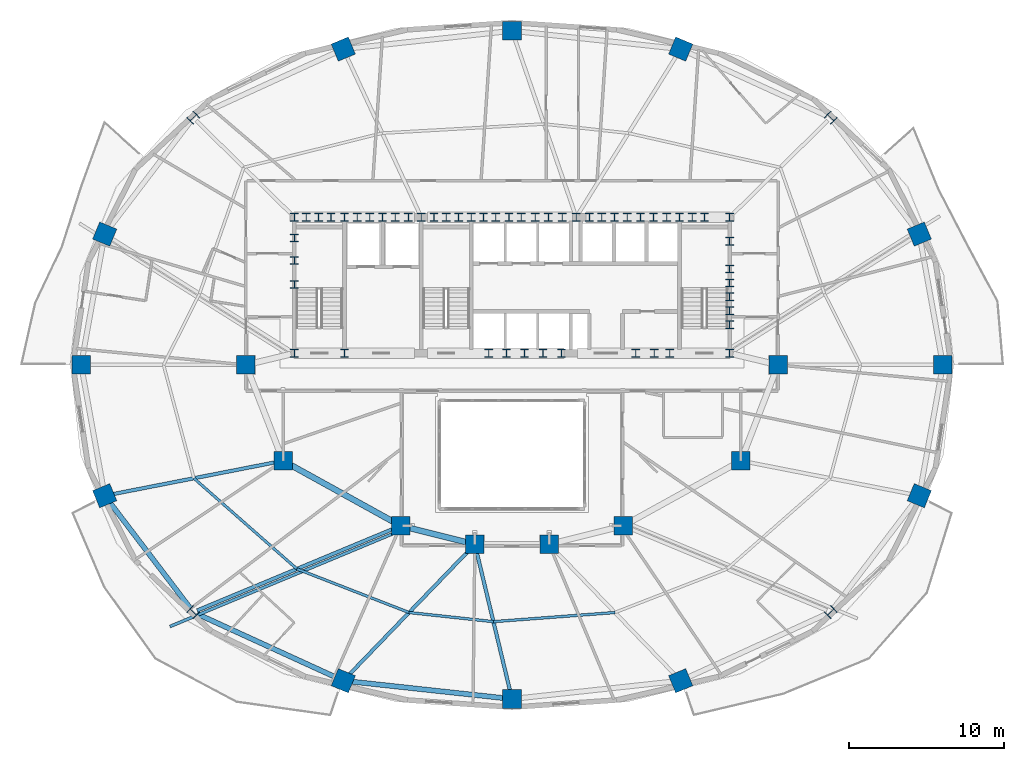
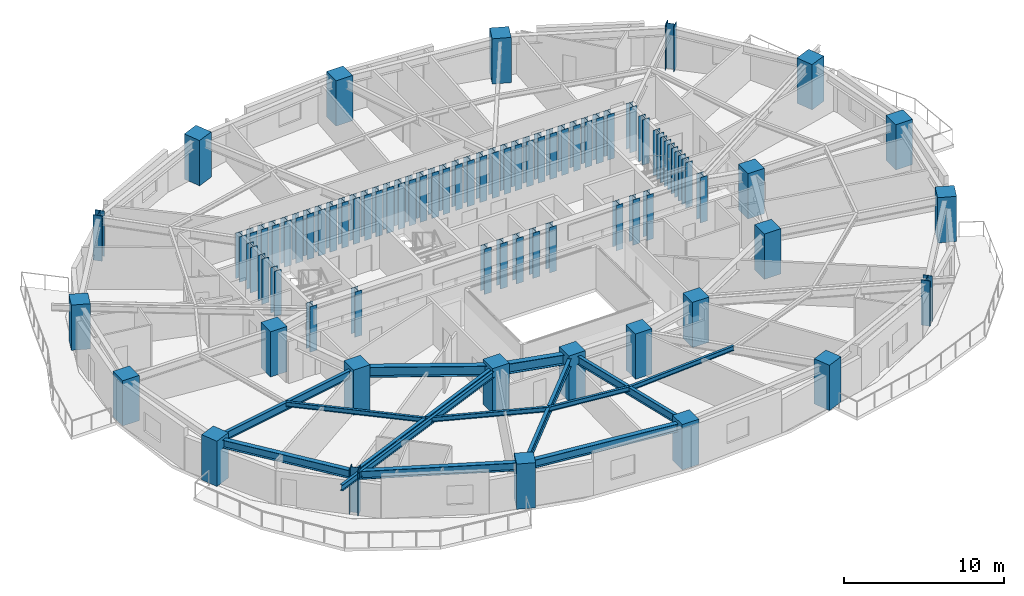
# One storey, part 1 of 14: 78 columns, 14 beams.
"""IFC4 building model written with IfcOpenShell, lengths in metres."""

from ifc_helpers import new_model, si_unit, direction, frame, origin, origin_2d, place, context, subcontext, project, spatial, rectangle, i_section, extrude, material, material_profile, profile_set, type_object, element, save


model = new_model("IFC4")

# Units and contexts
model_context = context("Model", 3, precision=1e-05, world=origin(), true_north=direction((0.0, 1.0)))
body_context = subcontext(model_context, "Body", "Model", "MODEL_VIEW")
ifc_project = project(units=[si_unit("LENGTHUNIT", "METRE"), si_unit("AREAUNIT", "SQUARE_METRE"), si_unit("VOLUMEUNIT", "CUBIC_METRE"), si_unit("PLANEANGLEUNIT", "RADIAN"), si_unit("MASSUNIT", "GRAM", prefix="KILO")], contexts=[model_context])

# Site, building, storey
site_placement = place(None, origin())
site = spatial("IfcSite", under=ifc_project, at=site_placement, CompositionType="ELEMENT")
building_placement = place(site_placement, origin())
building = spatial("IfcBuilding", under=site, at=building_placement, Name="Haldorwick Loom Tower", CompositionType="ELEMENT")
storey_placement = place(building_placement, frame((0.0, 0.0, 99.050048828125)))
storey = spatial("IfcBuildingStorey", under=building, at=storey_placement, Name="L26", CompositionType="ELEMENT", Elevation=99.050048828125)

# Columns
ifc_material_1 = material(Name="Concrete C60 (60 MPa)", Category="concrete")
ifc_material_profile_1 = material_profile(ifc_material_1, rectangle(XDim=1.199951171875, YDim=1.199951171875, at=origin_2d()), Name="RC1200X1200", Category="concrete")
ifc_profile_set_1 = profile_set([ifc_material_profile_1], Name="Concrete C60 (60 MPa)")
column_type_1 = type_object("IfcColumnType", Name="STR-COL-RC1200", PredefinedType="COLUMN", material=ifc_profile_set_1)
for number, where, z_axis, x_axis, name in (
    (1, (53.199951171875, 26.0, 0.0), (0.0, 0.0, 1.0), (1.0, 0.0, 0.0), "L26 Inner Column IC-01"),
    (2, (50.800048828125, 19.800048828125, 0.0), (0.0, 0.0, 1.0), (1.0, 0.0, 0.0), "L26 Inner Column IC-02"),
    (3, (43.199951171875, 15.60009765625, 0.0), (0.0, 0.0, 1.0), (1.0, 0.0, 0.0), "L26 Inner Column IC-03"),
    (4, (38.39990234375, 14.39990234375, 0.0), (0.0, 0.0, 1.0), (1.0, 0.0, 0.0), "L26 Inner Column IC-04"),
    (5, (33.60009765625, 14.39990234375, 0.0), (0.0, 0.0, 1.0), (1.0, 0.0, 0.0), "L26 Inner Column IC-05"),
    (6, (28.800048828125, 15.60009765625, 0.0), (0.0, 0.0, 1.0), (1.0, 0.0, 0.0), "L26 Inner Column IC-06"),
    (7, (21.199951171875, 19.800048828125, 0.0), (0.0, 0.0, 1.0), (1.0, 0.0, 0.0), "L26 Inner Column IC-07"),
    (8, (18.800048828125, 26.0, 0.0), (0.0, 0.0, 1.0), (1.0, 0.0, 0.0), "L26 Inner Column IC-08"),
    (9, (63.857666015625, 26.0, 0.0), (0.0, 0.0, 1.0), (1.0, 0.0, 0.0), "L26 Perimeter Pier Column P01"),
    (10, (62.33056640625, 34.457275390625, 0.0), (0.0, 0.0, 1.0), (0.923879532511, 0.382683432365, 0.0), "L26 Perimeter Pier Column P02"),
    (11, (46.906494140625, 46.417724609375, 0.0), (0.0, 0.0, 1.0), (0.382683432365, 0.923879532511, 0.0), "L26 Perimeter Pier Column P04"),
    (12, (36.0, 47.598388671875, 0.0), (0.0, 0.0, 1.0), (0.0, 1.0, 0.0), "L26 Perimeter Pier Column P05"),
    (13, (25.093505859375, 46.417724609375, 0.0), (0.0, 0.0, 1.0), (-0.382683432365, 0.923879532511, 0.0), "L26 Perimeter Pier Column P06"),
    (14, (9.66943359375, 34.457275390625, 0.0), (0.0, 0.0, 1.0), (-0.923879532511, 0.382683432365, 0.0), "L26 Perimeter Pier Column P08"),
    (15, (8.142333984375, 26.0, 0.0), (0.0, 0.0, 1.0), (-1.0, 0.0, 0.0), "L26 Perimeter Pier Column P09"),
    (16, (9.66943359375, 17.542724609375, 0.0), (0.0, 0.0, 1.0), (-0.923879532511, -0.382683432365, 0.0), "L26 Perimeter Pier Column P10"),
    (17, (25.093505859375, 5.582275390625, 0.0), (0.0, 0.0, 1.0), (-0.382683432365, -0.923879532511, 0.0), "L26 Perimeter Pier Column P12"),
    (18, (36.0, 4.401611328125, 0.0), (0.0, 0.0, 1.0), (0.0, -1.0, 0.0), "L26 Perimeter Pier Column P13"),
    (19, (46.906494140625, 5.582275390625, 0.0), (0.0, 0.0, 1.0), (0.382683432365, -0.923879532511, 0.0), "L26 Perimeter Pier Column P14"),
    (20, (62.33056640625, 17.542724609375, 0.0), (0.0, 0.0, 1.0), (0.923879532511, -0.382683432365, 0.0), "L26 Perimeter Pier Column P16"),
):
    element("IfcColumn", number, at=place(storey_placement, frame(where, z_axis=z_axis, x_axis=x_axis)), inside=storey, type_object=column_type_1, Name=name, PredefinedType="COLUMN", context=body_context, shape_type="SweptSolid", body=[
        extrude(rectangle(XDim=1.199951171875, YDim=1.199951171875, at=origin_2d()), origin(), (0.0, 0.0, 1.0), 3.449951171875),
    ])
ifc_material_2 = material(Name="Steel CSA G40.21 350WT", Category="steel")
ifc_material_profile_2 = material_profile(ifc_material_2, i_section(OverallWidth=0.5, OverallDepth=0.5, WebThickness=0.02197265625, FlangeThickness=0.031982421875, at=origin_2d()), Name="WWF500X500", Category="steel")
ifc_profile_set_2 = profile_set([ifc_material_profile_2], Name="Steel CSA G40.21 350WT")
column_type_2 = type_object("IfcColumnType", Name="STR-COL-WWF500", PredefinedType="COLUMN", material=ifc_profile_set_2)
for number, where, z_axis, x_axis, name in (
    (21, (21.929931640625, 35.550048828125, 0.0), (0.0, 0.0, 1.0), (1.0, 0.0, 0.0), "L26 Core Pilaster CB-01"),
    (22, (23.5, 35.550048828125, 0.0), (0.0, 0.0, 1.0), (1.0, 0.0, 0.0), "L26 Core Pilaster CB-02"),
    (23, (25.169921875, 35.550048828125, 0.0), (0.0, 0.0, 1.0), (1.0, 0.0, 0.0), "L26 Core Pilaster CB-03"),
    (24, (26.800048828125, 35.550048828125, 0.0), (0.0, 0.0, 1.0), (1.0, 0.0, 0.0), "L26 Core Pilaster CB-04"),
    (25, (28.449951171875, 35.550048828125, 0.0), (0.0, 0.0, 1.0), (1.0, 0.0, 0.0), "L26 Core Pilaster CB-05"),
    (26, (30.1298828125, 35.550048828125, 0.0), (0.0, 0.0, 1.0), (1.0, 0.0, 0.0), "L26 Core Pilaster CB-06"),
    (27, (31.75, 35.550048828125, 0.0), (0.0, 0.0, 1.0), (1.0, 0.0, 0.0), "L26 Core Pilaster CB-07"),
    (28, (33.3701171875, 35.550048828125, 0.0), (0.0, 0.0, 1.0), (1.0, 0.0, 0.0), "L26 Core Pilaster CB-08"),
    (29, (34.949951171875, 35.550048828125, 0.0), (0.0, 0.0, 1.0), (1.0, 0.0, 0.0), "L26 Core Pilaster CB-09"),
    (30, (36.60009765625, 35.550048828125, 0.0), (0.0, 0.0, 1.0), (1.0, 0.0, 0.0), "L26 Core Pilaster CB-10"),
    (31, (38.35009765625, 35.550048828125, 0.0), (0.0, 0.0, 1.0), (1.0, 0.0, 0.0), "L26 Core Pilaster CB-11"),
    (32, (40.14990234375, 35.550048828125, 0.0), (0.0, 0.0, 1.0), (1.0, 0.0, 0.0), "L26 Core Pilaster CB-12"),
    (33, (41.800048828125, 35.550048828125, 0.0), (0.0, 0.0, 1.0), (1.0, 0.0, 0.0), "L26 Core Pilaster CB-13"),
    (34, (43.449951171875, 35.550048828125, 0.0), (0.0, 0.0, 1.0), (1.0, 0.0, 0.0), "L26 Core Pilaster CB-14"),
    (35, (45.14990234375, 35.550048828125, 0.0), (0.0, 0.0, 1.0), (1.0, 0.0, 0.0), "L26 Core Pilaster CB-15"),
    (36, (46.830078125, 35.550048828125, 0.0), (0.0, 0.0, 1.0), (1.0, 0.0, 0.0), "L26 Core Pilaster CB-16"),
    (37, (48.449951171875, 35.550048828125, 0.0), (0.0, 0.0, 1.0), (1.0, 0.0, 0.0), "L26 Core Pilaster CB-17"),
    (38, (50.070068359375, 35.550048828125, 0.0), (0.0, 0.0, 1.0), (1.0, 0.0, 0.0), "L26 Core Pilaster CB-18"),
    (39, (21.929931640625, 26.75, 0.0), (0.0, 0.0, 1.0), (1.0, 0.0, 0.0), "L26 Core Pilaster CB-19"),
    (40, (25.169921875, 26.75, 0.0), (0.0, 0.0, 1.0), (1.0, 0.0, 0.0), "L26 Core Pilaster CB-20"),
    (41, (34.5, 26.75, 0.0), (0.0, 0.0, 1.0), (1.0, 0.0, 0.0), "L26 Core Pilaster CB-21"),
    (42, (36.800048828125, 26.75, 0.0), (0.0, 0.0, 1.0), (1.0, 0.0, 0.0), "L26 Core Pilaster CB-22"),
    (43, (39.199951171875, 26.75, 0.0), (0.0, 0.0, 1.0), (1.0, 0.0, 0.0), "L26 Core Pilaster CB-23"),
    (44, (45.199951171875, 26.75, 0.0), (0.0, 0.0, 1.0), (1.0, 0.0, 0.0), "L26 Core Pilaster CB-24"),
    (45, (50.070068359375, 26.75, 0.0), (0.0, 0.0, 1.0), (1.0, 0.0, 0.0), "L26 Core Pilaster CB-25"),
    (46, (21.929931640625, 31.199951171875, 0.0), (0.0, 0.0, 1.0), (1.0, 0.0, 0.0), "L26 Core Pilaster CB-26"),
    (47, (21.929931640625, 32.75, 0.0), (0.0, 0.0, 1.0), (1.0, 0.0, 0.0), "L26 Core Pilaster CB-27"),
    (48, (21.929931640625, 34.199951171875, 0.0), (0.0, 0.0, 1.0), (1.0, 0.0, 0.0), "L26 Core Pilaster CB-28"),
    (49, (50.070068359375, 28.60009765625, 0.0), (0.0, 0.0, 1.0), (1.0, 0.0, 0.0), "L26 Core Pilaster CB-29"),
    (50, (50.070068359375, 30.39990234375, 0.0), (0.0, 0.0, 1.0), (1.0, 0.0, 0.0), "L26 Core Pilaster CB-30"),
    (51, (50.070068359375, 32.199951171875, 0.0), (0.0, 0.0, 1.0), (1.0, 0.0, 0.0), "L26 Core Pilaster CB-31"),
    (52, (50.070068359375, 34.0, 0.0), (0.0, 0.0, 1.0), (1.0, 0.0, 0.0), "L26 Core Pilaster CB-32"),
    (53, (22.699951171875, 35.550048828125, 0.0), (0.0, 0.0, 1.0), (1.0, 0.0, 0.0), "L26 Core Pilaster CB-33"),
    (54, (27.6201171875, 35.550048828125, 0.0), (0.0, 0.0, 1.0), (1.0, 0.0, 0.0), "L26 Core Pilaster CB-34"),
    (55, (32.550048828125, 35.550048828125, 0.0), (0.0, 0.0, 1.0), (1.0, 0.0, 0.0), "L26 Core Pilaster CB-35"),
    (56, (37.5, 35.550048828125, 0.0), (0.0, 0.0, 1.0), (1.0, 0.0, 0.0), "L26 Core Pilaster CB-36"),
    (57, (42.6201171875, 35.550048828125, 0.0), (0.0, 0.0, 1.0), (1.0, 0.0, 0.0), "L26 Core Pilaster CB-37"),
    (58, (47.64990234375, 35.550048828125, 0.0), (0.0, 0.0, 1.0), (1.0, 0.0, 0.0), "L26 Core Pilaster CB-38"),
    (59, (24.300048828125, 35.550048828125, 0.0), (0.0, 0.0, 1.0), (1.0, 0.0, 0.0), "L26 Core Pilaster CB-39"),
    (60, (26.0, 35.550048828125, 0.0), (0.0, 0.0, 1.0), (1.0, 0.0, 0.0), "L26 Core Pilaster CB-40"),
    (61, (29.300048828125, 35.550048828125, 0.0), (0.0, 0.0, 1.0), (1.0, 0.0, 0.0), "L26 Core Pilaster CB-41"),
    (62, (30.949951171875, 35.550048828125, 0.0), (0.0, 0.0, 1.0), (1.0, 0.0, 0.0), "L26 Core Pilaster CB-42"),
    (63, (34.14990234375, 35.550048828125, 0.0), (0.0, 0.0, 1.0), (1.0, 0.0, 0.0), "L26 Core Pilaster CB-43"),
    (64, (35.800048828125, 35.550048828125, 0.0), (0.0, 0.0, 1.0), (1.0, 0.0, 0.0), "L26 Core Pilaster CB-44"),
    (65, (39.25, 35.550048828125, 0.0), (0.0, 0.0, 1.0), (1.0, 0.0, 0.0), "L26 Core Pilaster CB-45"),
    (66, (41.0, 35.550048828125, 0.0), (0.0, 0.0, 1.0), (1.0, 0.0, 0.0), "L26 Core Pilaster CB-46"),
    (67, (44.300048828125, 35.550048828125, 0.0), (0.0, 0.0, 1.0), (1.0, 0.0, 0.0), "L26 Core Pilaster CB-47"),
    (68, (46.0, 35.550048828125, 0.0), (0.0, 0.0, 1.0), (1.0, 0.0, 0.0), "L26 Core Pilaster CB-48"),
    (69, (50.070068359375, 29.5, 0.0), (0.0, 0.0, 1.0), (1.0, 0.0, 0.0), "L26 Core Pilaster CB-49"),
    (70, (50.070068359375, 31.300048828125, 0.0), (0.0, 0.0, 1.0), (1.0, 0.0, 0.0), "L26 Core Pilaster CB-50"),
    (71, (35.64990234375, 26.75, 0.0), (0.0, 0.0, 1.0), (1.0, 0.0, 0.0), "L26 Core Pilaster CB-51"),
    (72, (38.0, 26.75, 0.0), (0.0, 0.0, 1.0), (1.0, 0.0, 0.0), "L26 Core Pilaster CB-52"),
    (73, (44.0, 26.75, 0.0), (0.0, 0.0, 1.0), (1.0, 0.0, 0.0), "L26 Core Pilaster CB-53"),
    (74, (46.199951171875, 26.75, 0.0), (0.0, 0.0, 1.0), (1.0, 0.0, 0.0), "L26 Core Pilaster CB-54"),
):
    element("IfcColumn", number, at=place(storey_placement, frame(where, z_axis=z_axis, x_axis=x_axis)), inside=storey, type_object=column_type_2, Name=name, PredefinedType="COLUMN", context=body_context, shape_type="SweptSolid", body=[
        extrude(i_section(OverallWidth=0.5, OverallDepth=0.5, WebThickness=0.02197265625, FlangeThickness=0.031982421875, at=origin_2d()), origin(), (0.0, 0.0, 1.0), 3.449951171875),
    ])
ifc_material_profile_3 = material_profile(ifc_material_2, i_section(OverallWidth=0.60009765625, OverallDepth=0.60009765625, WebThickness=0.02490234375, FlangeThickness=0.035888671875, at=origin_2d()), Name="WWF600X600", Category="steel")
ifc_profile_set_3 = profile_set([ifc_material_profile_3], Name="Steel CSA G40.21 350WT")
column_type_3 = type_object("IfcColumnType", Name="STR-COL-WWF600", PredefinedType="COLUMN", material=ifc_profile_set_3)
for number, where, z_axis, x_axis, name in (
    (75, (56.606689453125, 41.981689453125, 0.0), (0.0, 0.0, 1.0), (0.707106781187, 0.707106781187, 0.0), "L26 Perimeter Pier Column P03"),
    (76, (15.393310546875, 41.981689453125, 0.0), (0.0, 0.0, 1.0), (-0.707106781187, 0.707106781187, 0.0), "L26 Perimeter Pier Column P07"),
    (77, (15.393310546875, 10.018310546875, 0.0), (0.0, 0.0, 1.0), (-0.707106781187, -0.707106781187, 0.0), "L26 Perimeter Pier Column P11"),
    (78, (56.606689453125, 10.018310546875, 0.0), (0.0, 0.0, 1.0), (0.707106781187, -0.707106781187, 0.0), "L26 Perimeter Pier Column P15"),
):
    element("IfcColumn", number, at=place(storey_placement, frame(where, z_axis=z_axis, x_axis=x_axis)), inside=storey, type_object=column_type_3, Name=name, PredefinedType="COLUMN", context=body_context, shape_type="SweptSolid", body=[
        extrude(i_section(OverallWidth=0.60009765625, OverallDepth=0.60009765625, WebThickness=0.02490234375, FlangeThickness=0.035888671875, at=origin_2d()), origin(), (0.0, 0.0, 1.0), 3.449951171875),
    ])

# Beams
ifc_material_3 = material(Name="Steel CSA G40.21 350W", Category="steel")
ifc_material_profile_4 = material_profile(ifc_material_3, i_section(OverallWidth=0.193115234375, OverallDepth=0.466064453125, WebThickness=0.011474609375, FlangeThickness=0.01904296875, at=origin_2d()), Name="W460X97", Category="steel")
ifc_profile_set_4 = profile_set([ifc_material_profile_4], Name="Steel CSA G40.21 350W")
beam_type_1 = type_object("IfcBeamType", Name="STR-BM-BAL460", PredefinedType="BEAM", material=ifc_profile_set_4)
beam_1_placement = place(storey_placement, frame((28.427490234375, 15.1416015625, 2.97705078125), z_axis=(-0.923185561192, -0.38435454935, 0.0), x_axis=(0.38435454935, -0.923185561192, 0.0)))
element("IfcBeam", 79, at=beam_1_placement, inside=storey, type_object=beam_type_1, Name="L26 Continuous Back-Spanned Balcony Beam 2", PredefinedType="BEAM", context=body_context, shape_type="SweptSolid", body=[
    extrude(i_section(OverallWidth=0.193115234375, OverallDepth=0.466064453125, WebThickness=0.011474609375, FlangeThickness=0.01904296875, at=origin_2d()), origin(), (0.0, 0.0, 1.0), 15.752197265625),
])
ifc_material_profile_5 = material_profile(ifc_material_3, i_section(OverallWidth=0.172119140625, OverallDepth=0.35791015625, WebThickness=0.0078125, FlangeThickness=0.01318359375, at=origin_2d()), Name="W360X57", Category="steel")
ifc_profile_set_5 = profile_set([ifc_material_profile_5], Name="Steel CSA G40.21 350W")
beam_type_2 = type_object("IfcBeamType", Name="STR-BM-J360", PredefinedType="JOIST", material=ifc_profile_set_5)
beam_2_placement = place(storey_placement, frame((15.434814453125, 18.67138671875, 3.031005859375), z_axis=(0.750721157729, -0.660619212057, 0.0), x_axis=(0.660619212057, 0.750721157729, 0.0)))
element("IfcBeam", 80, at=beam_2_placement, inside=storey, type_object=beam_type_2, Name="L26 Mid-Bay Secondary Joist 10", PredefinedType="JOIST", context=body_context, shape_type="SweptSolid", body=[
    extrude(i_section(OverallWidth=0.172119140625, OverallDepth=0.35791015625, WebThickness=0.0078125, FlangeThickness=0.01318359375, at=origin_2d()), origin(), (0.0, 0.0, 1.0), 8.8740234375),
])
beam_3_placement = place(storey_placement, frame((22.0966796875, 12.80908203125, 3.031005859375), z_axis=(0.932072983051, -0.362270553959, 0.0), x_axis=(0.362270553959, 0.932072983051, 0.0)))
element("IfcBeam", 81, at=beam_3_placement, inside=storey, type_object=beam_type_2, Name="L26 Mid-Bay Secondary Joist 11", PredefinedType="JOIST", context=body_context, shape_type="SweptSolid", body=[
    extrude(i_section(OverallWidth=0.172119140625, OverallDepth=0.35791015625, WebThickness=0.0078125, FlangeThickness=0.01318359375, at=origin_2d()), origin(), (0.0, 0.0, 1.0), 7.7783203125),
])
beam_4_placement = place(storey_placement, frame((29.3466796875, 9.9912109375, 3.031005859375), z_axis=(0.994191869342, -0.107622148904, 0.0), x_axis=(0.107622148904, 0.994191869342, 0.0)))
element("IfcBeam", 82, at=beam_4_placement, inside=storey, type_object=beam_type_2, Name="L26 Mid-Bay Secondary Joist 12", PredefinedType="JOIST", context=body_context, shape_type="SweptSolid", body=[
    extrude(i_section(OverallWidth=0.172119140625, OverallDepth=0.35791015625, WebThickness=0.0078125, FlangeThickness=0.01318359375, at=origin_2d()), origin(), (0.0, 0.0, 1.0), 5.485107421875),
])
beam_5_placement = place(storey_placement, frame((34.800048828125, 9.40087890625, 3.031005859375), z_axis=(0.99718663731, 0.074958724439, 0.0), x_axis=(-0.074958724439, 0.99718663731, 0.0)))
element("IfcBeam", 83, at=beam_5_placement, inside=storey, type_object=beam_type_2, Name="L26 Mid-Bay Secondary Joist 13", PredefinedType="JOIST", context=body_context, shape_type="SweptSolid", body=[
    extrude(i_section(OverallWidth=0.172119140625, OverallDepth=0.35791015625, WebThickness=0.0078125, FlangeThickness=0.01318359375, at=origin_2d()), origin(), (0.0, 0.0, 1.0), 7.87548828125),
])
ifc_material_profile_6 = material_profile(ifc_material_3, i_section(OverallWidth=0.324951171875, OverallDepth=0.615966796875, WebThickness=0.013916015625, FlangeThickness=0.021484375, at=origin_2d()), Name="W610X174", Category="steel")
ifc_profile_set_6 = profile_set([ifc_material_profile_6], Name="Steel CSA G40.21 350W")
beam_type_3 = type_object("IfcBeamType", Name="STR-BM-SP610", PredefinedType="SPANDREL", material=ifc_profile_set_6)
beam_6_placement = place(storey_placement, frame((9.984130859375, 17.12890625, 2.90185546875), z_axis=(0.605453508047, -0.795880675475, 0.0), x_axis=(0.795880675475, 0.605453508047, 0.0)))
element("IfcBeam", 84, at=beam_6_placement, inside=storey, type_object=beam_type_3, Name="L26 Perimeter Spandrel 10", PredefinedType="SPANDREL", context=body_context, shape_type="SweptSolid", body=[
    extrude(i_section(OverallWidth=0.324951171875, OverallDepth=0.615966796875, WebThickness=0.013916015625, FlangeThickness=0.021484375, at=origin_2d()), origin(), (0.0, 0.0, 1.0), 8.6591796875),
])
beam_7_placement = place(storey_placement, frame((15.643310546875, 9.90380859375, 2.90185546875), z_axis=(0.909423969306, -0.415870225011, 0.0), x_axis=(0.415870225011, 0.909423969306, 0.0)))
element("IfcBeam", 85, at=beam_7_placement, inside=storey, type_object=beam_type_3, Name="L26 Perimeter Spandrel 11", PredefinedType="SPANDREL", context=body_context, shape_type="SweptSolid", body=[
    extrude(i_section(OverallWidth=0.324951171875, OverallDepth=0.615966796875, WebThickness=0.013916015625, FlangeThickness=0.021484375, at=origin_2d()), origin(), (0.0, 0.0, 1.0), 9.871337890625),
])
beam_8_placement = place(storey_placement, frame((25.610595703125, 5.5263671875, 2.90185546875), z_axis=(0.994190135627, -0.107638163409, 0.0), x_axis=(0.107638163409, 0.994190135627, 0.0)))
element("IfcBeam", 86, at=beam_8_placement, inside=storey, type_object=beam_type_3, Name="L26 Perimeter Spandrel 12", PredefinedType="SPANDREL", context=body_context, shape_type="SweptSolid", body=[
    extrude(i_section(OverallWidth=0.324951171875, OverallDepth=0.615966796875, WebThickness=0.013916015625, FlangeThickness=0.021484375, at=origin_2d()), origin(), (0.0, 0.0, 1.0), 9.929931640625),
])
ifc_material_profile_7 = material_profile(ifc_material_3, i_section(OverallWidth=0.22998046875, OverallDepth=0.616943359375, WebThickness=0.01318359375, FlangeThickness=0.022216796875, at=origin_2d()), Name="W610X140", Category="steel")
ifc_profile_set_7 = profile_set([ifc_material_profile_7], Name="Steel CSA G40.21 350W")
beam_type_4 = type_object("IfcBeamType", Name="STR-BM-W610B", PredefinedType="BEAM", material=ifc_profile_set_7)
beam_9_placement = place(storey_placement, frame((20.689697265625, 19.7001953125, 2.9013671875), z_axis=(-0.981369581426, -0.192129499692, 0.0), x_axis=(0.192129499692, -0.981369581426, 0.0)))
element("IfcBeam", 87, at=beam_9_placement, inside=storey, type_object=beam_type_4, Name="L26 Radial Floor Girder 10", PredefinedType="BEAM", context=body_context, shape_type="SweptSolid", body=[
    extrude(i_section(OverallWidth=0.22998046875, OverallDepth=0.616943359375, WebThickness=0.01318359375, FlangeThickness=0.022216796875, at=origin_2d()), origin(), (0.0, 0.0, 1.0), 10.70947265625),
])
beam_10_placement = place(storey_placement, frame((28.31982421875, 15.400146484375, 2.9013671875), z_axis=(-0.923183704764, -0.384359008297, 0.0), x_axis=(0.384359008297, -0.923183704764, 0.0)))
element("IfcBeam", 88, at=beam_10_placement, inside=storey, type_object=beam_type_4, Name="L26 Radial Floor Girder 11", PredefinedType="BEAM", context=body_context, shape_type="SweptSolid", body=[
    extrude(i_section(OverallWidth=0.22998046875, OverallDepth=0.616943359375, WebThickness=0.01318359375, FlangeThickness=0.022216796875, at=origin_2d()), origin(), (0.0, 0.0, 1.0), 13.72705078125),
])
beam_11_placement = place(storey_placement, frame((33.239013671875, 14.02587890625, 2.9013671875), z_axis=(-0.694287071595, -0.719698174387, 0.0), x_axis=(0.719698174387, -0.694287071595, 0.0)))
element("IfcBeam", 89, at=beam_11_placement, inside=storey, type_object=beam_type_4, Name="L26 Radial Floor Girder 12", PredefinedType="BEAM", context=body_context, shape_type="SweptSolid", body=[
    extrude(i_section(OverallWidth=0.22998046875, OverallDepth=0.616943359375, WebThickness=0.01318359375, FlangeThickness=0.022216796875, at=origin_2d()), origin(), (0.0, 0.0, 1.0), 11.212158203125),
])
beam_12_placement = place(storey_placement, frame((33.721435546875, 13.894287109375, 2.9013671875), z_axis=(0.233406920764, -0.972379148964, 0.0), x_axis=(0.972379148964, 0.233406920764, 0.0)))
element("IfcBeam", 90, at=beam_12_placement, inside=storey, type_object=beam_type_4, Name="L26 Radial Floor Girder 13", PredefinedType="BEAM", context=body_context, shape_type="SweptSolid", body=[
    extrude(i_section(OverallWidth=0.22998046875, OverallDepth=0.616943359375, WebThickness=0.01318359375, FlangeThickness=0.022216796875, at=origin_2d()), origin(), (0.0, 0.0, 1.0), 9.242431640625),
])
ifc_material_profile_8 = material_profile(ifc_material_3, i_section(OverallWidth=0.381103515625, OverallDepth=0.77294921875, WebThickness=0.0166015625, FlangeThickness=0.027587890625, at=origin_2d()), Name="W760X257", Category="steel")
ifc_profile_set_8 = profile_set([ifc_material_profile_8], Name="Steel CSA G40.21 350W")
beam_type_5 = type_object("IfcBeamType", Name="STR-BM-W760", PredefinedType="BEAM", material=ifc_profile_set_8)
beam_13_placement = place(storey_placement, frame((33.095458984375, 14.526123046875, 2.823486328125), z_axis=(-0.970142500145, 0.242535625036, 0.0), x_axis=(-0.242535625036, -0.970142500145, 0.0)))
element("IfcBeam", 91, at=beam_13_placement, inside=storey, type_object=beam_type_5, Name="L26 Inner Ring Girder 6", PredefinedType="BEAM", context=body_context, shape_type="SweptSolid", body=[
    extrude(i_section(OverallWidth=0.381103515625, OverallDepth=0.77294921875, WebThickness=0.0166015625, FlangeThickness=0.027587890625, at=origin_2d()), origin(), (0.0, 0.0, 1.0), 3.90771484375),
])
beam_14_placement = place(storey_placement, frame((28.344970703125, 15.8515625, 2.823486328125), z_axis=(-0.875244382146, 0.483680960471, 0.0), x_axis=(-0.483680960471, -0.875244382146, 0.0)))
element("IfcBeam", 92, at=beam_14_placement, inside=storey, type_object=beam_type_5, Name="L26 Inner Ring Girder 7", PredefinedType="BEAM", context=body_context, shape_type="SweptSolid", body=[
    extrude(i_section(OverallWidth=0.381103515625, OverallDepth=0.77294921875, WebThickness=0.0166015625, FlangeThickness=0.027587890625, at=origin_2d()), origin(), (0.0, 0.0, 1.0), 7.6435546875),
])

save(model, "model.ifc")
